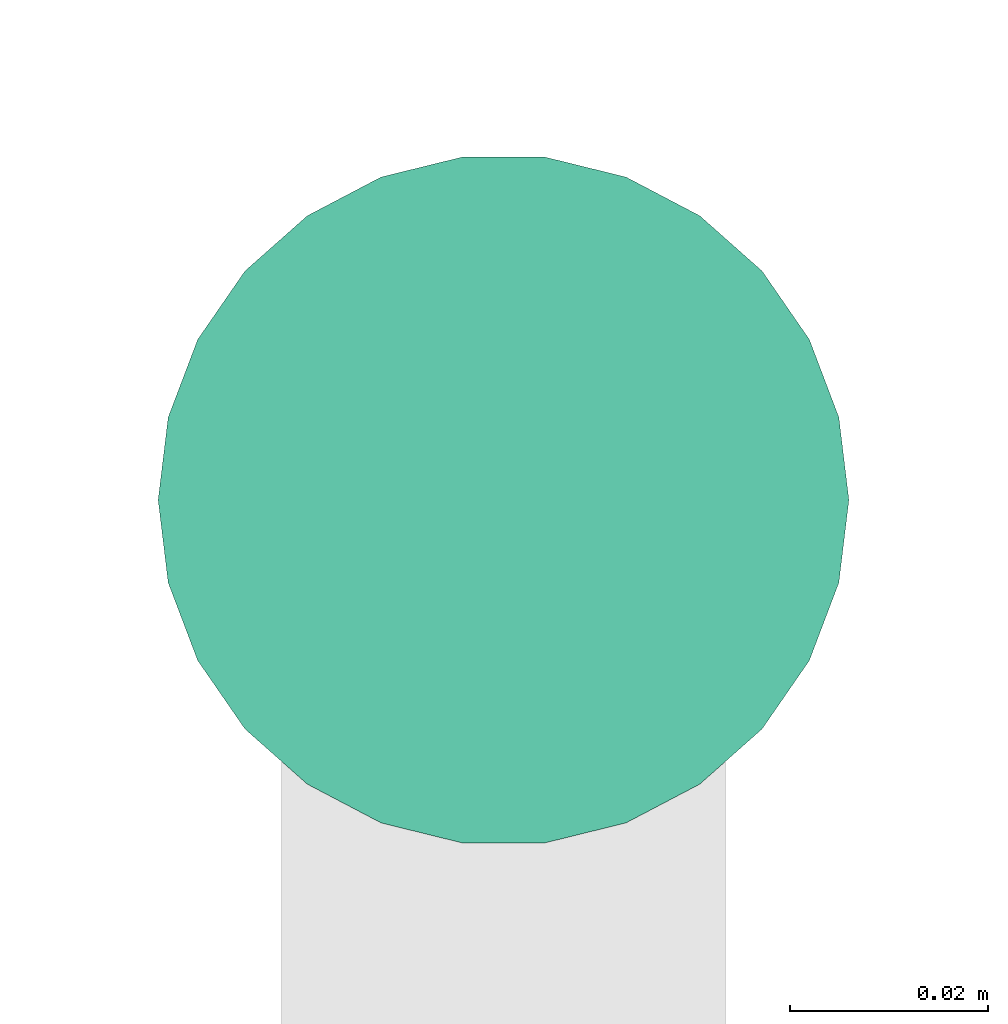
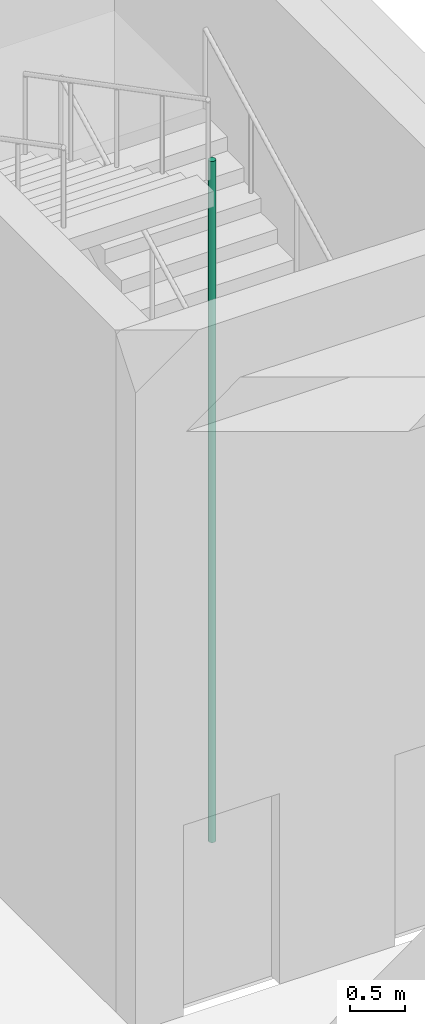
# One storey, part 30 of 36: 1 pipe segment.
"""IFC4 building model written with IfcOpenShell, lengths in metres."""

import ifcopenshell
import ifcopenshell.guid

model = None  # the IFC model being written
_history = None  # IfcOwnerHistory: only IFC2X3 demands one
_inside = {}  # id of a spatial element -> (the spatial element, [elements in it])
_under = {}  # id of a project, library or spatial element -> (it, [spatial elements below it])
_declared = {}  # id of a project -> (the project, [libraries it declares])
_typed = {}  # id of a type object -> (the type object, [elements of that type])
_made_of = {}  # id of a material, layer set ... -> (it, [elements and type objects made of it])


def new_model(schema):
    """Start an empty IFC model of exactly this schema.

    Asked for "IFC4X3", IfcOpenShell would pick the latest addendum, in which some entities
    have other attributes; the version numbers below select the first issue.
    IFC2X3 requires an IfcOwnerHistory on every rooted entity: one is made here for all.
    """
    global model, _history
    if schema == "IFC4X3":
        model = ifcopenshell.file(schema_version=(4, 3, 0, 0))
    else:
        model = ifcopenshell.file(schema=schema)
    _inside.clear()
    _under.clear()
    _declared.clear()
    _typed.clear()
    _made_of.clear()
    _history = None
    if model.schema == "IFC2X3":
        org = make("IfcOrganization", Name="unknown")
        user = make(
            "IfcPersonAndOrganization",
            ThePerson=make("IfcPerson", FamilyName="unknown"),
            TheOrganization=org,
        )
        app = make(
            "IfcApplication",
            ApplicationDeveloper=org,
            Version="unknown",
            ApplicationFullName="unknown",
            ApplicationIdentifier="unknown",
        )
        _history = make(
            "IfcOwnerHistory",
            OwningUser=user,
            OwningApplication=app,
            ChangeAction="ADDED",
            CreationDate=0,
        )
    return model


def make(cls, **values):
    """One entity of the class cls with the attributes given. An attribute that is None is left unset."""
    return model.create_entity(
        cls, **{name: value for name, value in values.items() if value is not None}
    )


def rooted(cls, **values):
    """An entity with a GlobalId (a new one), such as an element, a storey or a relation."""
    return make(cls, GlobalId=ifcopenshell.guid.new(), OwnerHistory=_history, **values)


def si_unit(unit_type, name, prefix=None):
    """IfcSIUnit, for example si_unit("LENGTHUNIT", "METRE", prefix="MILLI")."""
    return make("IfcSIUnit", UnitType=unit_type, Prefix=prefix, Name=name)


def assignment(units):
    """IfcUnitAssignment: the units of a project."""
    return None if units is None else make("IfcUnitAssignment", Units=units)


def point(xyz):
    """IfcCartesianPoint."""
    return None if xyz is None else make("IfcCartesianPoint", Coordinates=xyz)


def direction(xyz):
    """IfcDirection."""
    return None if xyz is None else make("IfcDirection", DirectionRatios=xyz)


def frame(location, z_axis=None, x_axis=None):
    """IfcAxis2Placement3D, a coordinate frame: its origin and axes. An axis left out is left unset."""
    return make(
        "IfcAxis2Placement3D",
        Location=point(location),
        Axis=direction(z_axis),
        RefDirection=direction(x_axis),
    )


def frame_2d(location, x_axis=None):
    """IfcAxis2Placement2D, a coordinate frame in the plane: its origin and x axis."""
    return make(
        "IfcAxis2Placement2D", Location=point(location), RefDirection=direction(x_axis)
    )


def origin():
    """The frame at (0, 0, 0) with its axes left unset."""
    return frame((0.0, 0.0, 0.0))


def origin_2d():
    """The frame at (0, 0) in the plane with its x axis left unset."""
    return frame_2d((0.0, 0.0))


def place(relative_to, where):
    """IfcLocalPlacement: puts the frame where relative to a parent placement (None: the world)."""
    return make(
        "IfcLocalPlacement", PlacementRelTo=relative_to, RelativePlacement=where
    )


def context(
    kind, dimensions, precision=None, world=None, true_north=None, identifier=None
):
    """IfcGeometricRepresentationContext, for example the 3D "Model" context."""
    return make(
        "IfcGeometricRepresentationContext",
        ContextIdentifier=identifier,
        ContextType=kind,
        CoordinateSpaceDimension=dimensions,
        Precision=precision,
        WorldCoordinateSystem=world,
        TrueNorth=true_north,
    )


def subcontext(parent, identifier, kind, view, scale=None):
    """IfcGeometricRepresentationSubContext, for example "Body" below "Model"."""
    return make(
        "IfcGeometricRepresentationSubContext",
        ContextIdentifier=identifier,
        ContextType=kind,
        ParentContext=parent,
        TargetScale=scale,
        TargetView=view,
    )


def project(units=None, contexts=None):
    """IfcProject with its units and contexts."""
    return rooted(
        "IfcProject",
        Name="project",
        RepresentationContexts=contexts,
        UnitsInContext=assignment(units),
    )


def spatial(cls, under=None, at=None, **own):
    """A site, building, storey or space (cls), placed at a placement, below another one or the project."""
    s = rooted(cls, ObjectPlacement=at, **own)
    if under is not None:
        _under.setdefault(under.id(), (under, []))[1].append(s)
    return s


def profile(cls, at=None, kind="AREA", **sizes):
    """A parametric profile (cls). Its sizes go by their IFC names, for example OverallWidth=200.0."""
    return make(cls, ProfileType=kind, Position=at, **sizes)


def circle(**sizes):
    """IfcCircleProfileDef."""
    return profile("IfcCircleProfileDef", **sizes)


def extrude(swept, where, along, depth):
    """IfcExtrudedAreaSolid: the profile swept, set in the frame where, extruded along a direction by depth."""
    return make(
        "IfcExtrudedAreaSolid",
        SweptArea=swept,
        Position=where,
        ExtrudedDirection=direction(along),
        Depth=depth,
    )


def shape(context_of_items, identifier, shape_type, items):
    """IfcShapeRepresentation: the items that make up one representation, for example the "Body"."""
    return make(
        "IfcShapeRepresentation",
        ContextOfItems=context_of_items,
        RepresentationIdentifier=identifier,
        RepresentationType=shape_type,
        Items=items,
    )


def made_of(thing, what):
    """Note that an element or type object is made of a material, layer set ...; save() writes the relation."""
    if what is not None:
        _made_of.setdefault(what.id(), (what, []))[1].append(thing)
    return thing


def element(
    cls,
    number,
    at=None,
    inside=None,
    cuts=None,
    type_object=None,
    material=None,
    context=None,
    identifier="Body",
    shape_type=None,
    held_by="IfcProductDefinitionShape",
    body=None,
    shapes=None,
    **own,
):
    """One element of the class cls, such as IfcWall. Its Tag is "e" and its number.

    at: its placement. inside: the storey or other place that contains it. cuts: it is an
    opening in that element (IfcRelVoidsElement). A single representation is given by context,
    identifier, shape_type and body (its items); several are given by shapes. held_by: the class
    of the entity that holds the representations. save() writes the other relations.
    """
    e = rooted(cls, Tag="e%d" % number, ObjectPlacement=at, **own)
    if body is not None:
        shapes = [shape(context, identifier, shape_type, body)]
    if shapes is not None:
        e.Representation = make(held_by, Representations=shapes)
    if inside is not None:
        _inside.setdefault(inside.id(), (inside, []))[1].append(e)
    if cuts is not None:
        rooted(
            "IfcRelVoidsElement", RelatingBuildingElement=cuts, RelatedOpeningElement=e
        )
    if type_object is not None:
        _typed.setdefault(type_object.id(), (type_object, []))[1].append(e)
    return made_of(e, material)


def aggregate(whole, parts):
    """IfcRelAggregates: a whole, such as a stair, and the parts it consists of."""
    return rooted("IfcRelAggregates", RelatingObject=whole, RelatedObjects=parts)


def save(model, path):
    """Write the relations noted so far, then the file.

    IfcRelAggregates (storeys below a building ...), IfcRelContainedInSpatialStructure (elements
    in a storey), IfcRelDefinesByType, IfcRelAssociatesMaterial and IfcRelDeclares: one each for
    every whole, place, type object, material and project.
    """
    for whole, parts in _under.values():
        aggregate(whole, parts)
    for where, things in _inside.values():
        rooted(
            "IfcRelContainedInSpatialStructure",
            RelatedElements=things,
            RelatingStructure=where,
        )
    for kind, things in _typed.values():
        rooted("IfcRelDefinesByType", RelatedObjects=things, RelatingType=kind)
    for what, things in _made_of.values():
        rooted("IfcRelAssociatesMaterial", RelatedObjects=things, RelatingMaterial=what)
    for by, libraries in _declared.values():
        rooted("IfcRelDeclares", RelatingContext=by, RelatedDefinitions=libraries)
    model.write(path)


model = new_model("IFC4")

# Units and contexts
model_context = context("Model", 3, precision=1e-05, world=origin(), true_north=direction((0.0, 1.0)))
body_context = subcontext(model_context, "Body", "Model", "MODEL_VIEW")
ifc_project = project(units=[si_unit("LENGTHUNIT", "METRE"), si_unit("AREAUNIT", "SQUARE_METRE"), si_unit("VOLUMEUNIT", "CUBIC_METRE"), si_unit("PLANEANGLEUNIT", "RADIAN"), si_unit("MASSUNIT", "GRAM", prefix="KILO")], contexts=[model_context])

# Site, building, storey
site_placement = place(None, origin())
site = spatial("IfcSite", under=ifc_project, at=site_placement, CompositionType="ELEMENT")
building_placement = place(site_placement, origin())
building = spatial("IfcBuilding", under=site, at=building_placement, Name="Nzadi Deep Aquarium and Research Tower", CompositionType="ELEMENT")
storey_placement = place(building_placement, frame((0.0, 0.0, 14.199951171875)))
storey = spatial("IfcBuildingStorey", under=building, at=storey_placement, Name="L02", CompositionType="ELEMENT", Elevation=14.199951171875)

# Pipe segment
pipe_segment_placement = place(storey_placement, frame((55.300048828125, 116.360107421875, 0.0), z_axis=(0.0, 0.0, 1.0), x_axis=(1.0, 0.0, 0.0)))
element("IfcPipeSegment", 1, at=pipe_segment_placement, inside=storey, Name="Dry riser ST-Z3-E L02", PredefinedType="RIGIDSEGMENT", context=body_context, shape_type="SweptSolid", body=[
    extrude(circle(Radius=0.034912109375, at=origin_2d()), origin(), (0.0, 0.0, 1.0), 7.5),
])

save(model, "model.ifc")
